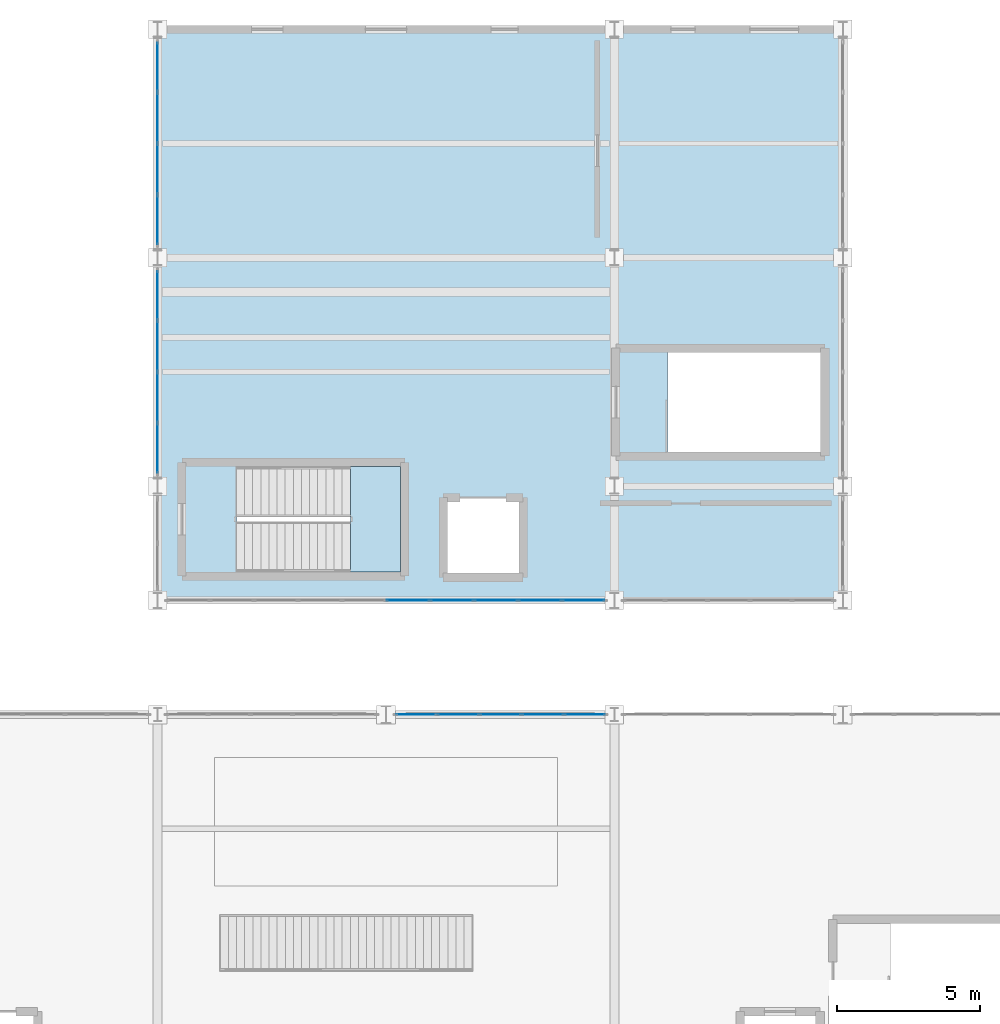
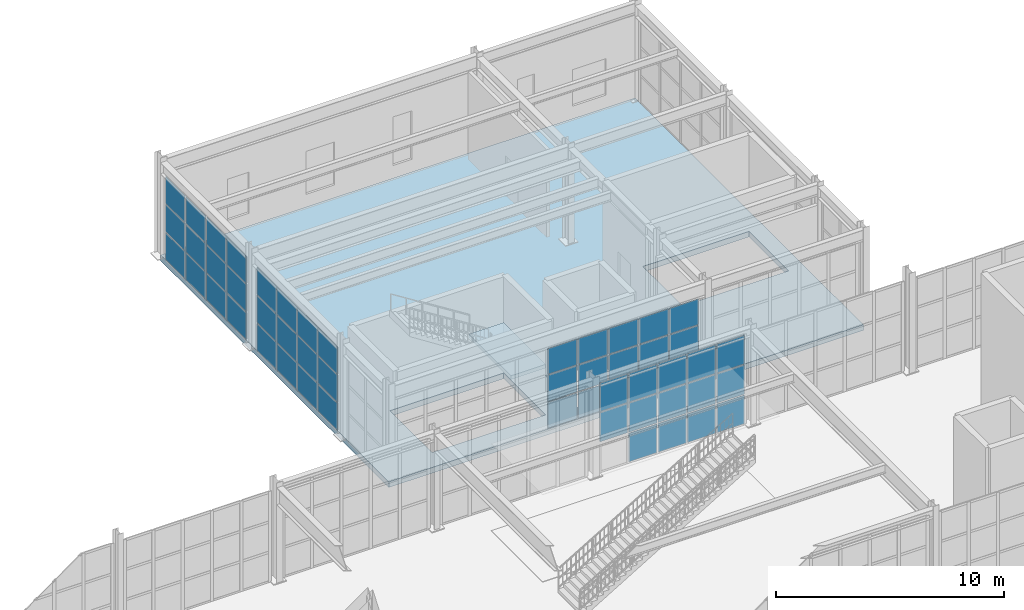
# One storey, part 56 of 82: 53 plates, 2 slabs, 5 elements without a shape of their own.
"""IFC4 building model written with IfcOpenShell, lengths in metres."""

from ifc_helpers import new_model, si_unit, direction, frame, origin, origin_2d, place, context, subcontext, project, spatial, polyline, rectangle, outline, extrude, material, layer, layer_set, type_object, element, aggregate, save


model = new_model("IFC4")

# Units and contexts
model_context = context("Model", 3, precision=1e-05, world=origin(), true_north=direction((0.0, 1.0)))
body_context = subcontext(model_context, "Body", "Model", "MODEL_VIEW")
ifc_project = project(units=[si_unit("LENGTHUNIT", "METRE"), si_unit("AREAUNIT", "SQUARE_METRE"), si_unit("VOLUMEUNIT", "CUBIC_METRE"), si_unit("PLANEANGLEUNIT", "RADIAN"), si_unit("MASSUNIT", "GRAM", prefix="KILO")], contexts=[model_context])

# Site, building, storey
site_placement = place(None, origin())
site = spatial("IfcSite", under=ifc_project, at=site_placement, CompositionType="ELEMENT")
building_placement = place(site_placement, origin())
building = spatial("IfcBuilding", under=site, at=building_placement, Name="Serraluz Foothill Cableway Terminal", CompositionType="ELEMENT")
storey_placement = place(building_placement, frame((0.0, 0.0, 9.60009765625)))
storey = spatial("IfcBuildingStorey", under=building, at=storey_placement, Name="L02", CompositionType="ELEMENT", Elevation=9.60009765625)

# Curtain wall, plates
ifc_material_1 = material(Name="Architectural bronze alloy C28000", Category="aluminium")
curtain_wall_type_1 = type_object("IfcCurtainWallType", Name="TYP-CW-440X360", PredefinedType="NOTDEFINED", material=ifc_material_1)
curtain_wall_1_placement = place(storey_placement, origin())
curtain_wall_1 = element("IfcCurtainWall", 1, at=curtain_wall_1_placement, inside=storey, type_object=curtain_wall_type_1, Name="Ribbed Glazed Curtain Wall CW-V1N-L02-88", PredefinedType="NOTDEFINED")
ifc_material_2 = material(Name="Translucent ribbed laminated channel glass", Category="glass")
ifc_layer_1 = layer(ifc_material_2, 0.028076171875, Name="Translucent ribbed laminated channel glass", Category="glass")
ifc_layer_set_1 = layer_set([ifc_layer_1], Name="Translucent ribbed laminated channel glass")
plate_type = type_object("IfcPlateType", Name="TYP-CW-PNL-28", PredefinedType="CURTAIN_PANEL", material=ifc_layer_set_1)
plate_1_placement = place(storey_placement, frame((89.05908203125, 72.0, 1.646484375), z_axis=(0.0, 0.0, 1.0), x_axis=(1.0, 0.0, 0.0)))
plate_1 = element("IfcPlate", 2, at=plate_1_placement, type_object=plate_type, Name="CW-16 panel 1.2", PredefinedType="CURTAIN_PANEL", context=body_context, shape_type="SweptSolid", body=[
    extrude(rectangle(XDim=1.393310546875, YDim=0.028076171875, at=origin_2d()), origin(), (0.0, 0.0, 1.0), 1.556640625),
])
plate_2_placement = place(storey_placement, frame((89.05908203125, 72.0, 3.26318359375), z_axis=(0.0, 0.0, 1.0), x_axis=(1.0, 0.0, 0.0)))
plate_2 = element("IfcPlate", 3, at=plate_2_placement, type_object=plate_type, Name="CW-16 panel 1.3", PredefinedType="CURTAIN_PANEL", context=body_context, shape_type="SweptSolid", body=[
    extrude(rectangle(XDim=1.393310546875, YDim=0.028076171875, at=origin_2d()), origin(), (0.0, 0.0, 1.0), 1.526611328125),
])
plate_3_placement = place(storey_placement, frame((90.52734375, 72.0, 0.06005859375), z_axis=(0.0, 0.0, 1.0), x_axis=(1.0, 0.0, 0.0)))
plate_3 = element("IfcPlate", 4, at=plate_3_placement, type_object=plate_type, Name="CW-16 panel 2.1", PredefinedType="CURTAIN_PANEL", context=body_context, shape_type="SweptSolid", body=[
    extrude(rectangle(XDim=1.423095703125, YDim=0.028076171875, at=origin_2d()), origin(), (0.0, 0.0, 1.0), 1.526611328125),
])
plate_4_placement = place(storey_placement, frame((90.52734375, 72.0, 1.646484375), z_axis=(0.0, 0.0, 1.0), x_axis=(1.0, 0.0, 0.0)))
plate_4 = element("IfcPlate", 5, at=plate_4_placement, type_object=plate_type, Name="CW-16 panel 2.2", PredefinedType="CURTAIN_PANEL", context=body_context, shape_type="SweptSolid", body=[
    extrude(rectangle(XDim=1.423095703125, YDim=0.028076171875, at=origin_2d()), origin(), (0.0, 0.0, 1.0), 1.556640625),
])
plate_5_placement = place(storey_placement, frame((90.52734375, 72.0, 3.26318359375), z_axis=(0.0, 0.0, 1.0), x_axis=(1.0, 0.0, 0.0)))
plate_5 = element("IfcPlate", 6, at=plate_5_placement, type_object=plate_type, Name="CW-16 panel 2.3", PredefinedType="CURTAIN_PANEL", context=body_context, shape_type="SweptSolid", body=[
    extrude(rectangle(XDim=1.423095703125, YDim=0.028076171875, at=origin_2d()), origin(), (0.0, 0.0, 1.0), 1.526611328125),
])
plate_6_placement = place(storey_placement, frame((92.010498046875, 72.0, 0.06005859375), z_axis=(0.0, 0.0, 1.0), x_axis=(1.0, 0.0, 0.0)))
plate_6 = element("IfcPlate", 7, at=plate_6_placement, type_object=plate_type, Name="CW-16 panel 3.1", PredefinedType="CURTAIN_PANEL", context=body_context, shape_type="SweptSolid", body=[
    extrude(rectangle(XDim=1.423095703125, YDim=0.028076171875, at=origin_2d()), origin(), (0.0, 0.0, 1.0), 1.526611328125),
])
plate_7_placement = place(storey_placement, frame((92.010498046875, 72.0, 1.646484375), z_axis=(0.0, 0.0, 1.0), x_axis=(1.0, 0.0, 0.0)))
plate_7 = element("IfcPlate", 8, at=plate_7_placement, type_object=plate_type, Name="CW-16 panel 3.2", PredefinedType="CURTAIN_PANEL", context=body_context, shape_type="SweptSolid", body=[
    extrude(rectangle(XDim=1.423095703125, YDim=0.028076171875, at=origin_2d()), origin(), (0.0, 0.0, 1.0), 1.556640625),
])
plate_8_placement = place(storey_placement, frame((92.010498046875, 72.0, 3.26318359375), z_axis=(0.0, 0.0, 1.0), x_axis=(1.0, 0.0, 0.0)))
plate_8 = element("IfcPlate", 9, at=plate_8_placement, type_object=plate_type, Name="CW-16 panel 3.3", PredefinedType="CURTAIN_PANEL", context=body_context, shape_type="SweptSolid", body=[
    extrude(rectangle(XDim=1.423095703125, YDim=0.028076171875, at=origin_2d()), origin(), (0.0, 0.0, 1.0), 1.526611328125),
])
plate_9_placement = place(storey_placement, frame((93.49365234375, 72.0, 0.06005859375), z_axis=(0.0, 0.0, 1.0), x_axis=(1.0, 0.0, 0.0)))
plate_9 = element("IfcPlate", 10, at=plate_9_placement, type_object=plate_type, Name="CW-16 panel 4.1", PredefinedType="CURTAIN_PANEL", context=body_context, shape_type="SweptSolid", body=[
    extrude(rectangle(XDim=1.423095703125, YDim=0.028076171875, at=origin_2d()), origin(), (0.0, 0.0, 1.0), 1.526611328125),
])
plate_10_placement = place(storey_placement, frame((93.49365234375, 72.0, 1.646484375), z_axis=(0.0, 0.0, 1.0), x_axis=(1.0, 0.0, 0.0)))
plate_10 = element("IfcPlate", 11, at=plate_10_placement, type_object=plate_type, Name="CW-16 panel 4.2", PredefinedType="CURTAIN_PANEL", context=body_context, shape_type="SweptSolid", body=[
    extrude(rectangle(XDim=1.423095703125, YDim=0.028076171875, at=origin_2d()), origin(), (0.0, 0.0, 1.0), 1.556640625),
])
plate_11_placement = place(storey_placement, frame((93.49365234375, 72.0, 3.26318359375), z_axis=(0.0, 0.0, 1.0), x_axis=(1.0, 0.0, 0.0)))
plate_11 = element("IfcPlate", 12, at=plate_11_placement, type_object=plate_type, Name="CW-16 panel 4.3", PredefinedType="CURTAIN_PANEL", context=body_context, shape_type="SweptSolid", body=[
    extrude(rectangle(XDim=1.423095703125, YDim=0.028076171875, at=origin_2d()), origin(), (0.0, 0.0, 1.0), 1.526611328125),
])
plate_12_placement = place(storey_placement, frame((94.9619140625, 72.0, 0.06005859375), z_axis=(0.0, 0.0, 1.0), x_axis=(1.0, 0.0, 0.0)))
plate_12 = element("IfcPlate", 13, at=plate_12_placement, type_object=plate_type, Name="CW-16 panel 5.1", PredefinedType="CURTAIN_PANEL", context=body_context, shape_type="SweptSolid", body=[
    extrude(rectangle(XDim=1.393310546875, YDim=0.028076171875, at=origin_2d()), origin(), (0.0, 0.0, 1.0), 1.526611328125),
])
plate_13_placement = place(storey_placement, frame((94.9619140625, 72.0, 1.646484375), z_axis=(0.0, 0.0, 1.0), x_axis=(1.0, 0.0, 0.0)))
plate_13 = element("IfcPlate", 14, at=plate_13_placement, type_object=plate_type, Name="CW-16 panel 5.2", PredefinedType="CURTAIN_PANEL", context=body_context, shape_type="SweptSolid", body=[
    extrude(rectangle(XDim=1.393310546875, YDim=0.028076171875, at=origin_2d()), origin(), (0.0, 0.0, 1.0), 1.556640625),
])
plate_14_placement = place(storey_placement, frame((94.9619140625, 72.0, 3.26318359375), z_axis=(0.0, 0.0, 1.0), x_axis=(1.0, 0.0, 0.0)))
plate_14 = element("IfcPlate", 15, at=plate_14_placement, type_object=plate_type, Name="CW-16 panel 5.3", PredefinedType="CURTAIN_PANEL", context=body_context, shape_type="SweptSolid", body=[
    extrude(rectangle(XDim=1.393310546875, YDim=0.028076171875, at=origin_2d()), origin(), (0.0, 0.0, 1.0), 1.526611328125),
])
aggregate(curtain_wall_1, [plate_1, plate_2, plate_3, plate_4, plate_5, plate_6, plate_7, plate_8, plate_9, plate_10, plate_11, plate_12, plate_13, plate_14])

curtain_wall_type_2 = type_object("IfcCurtainWallType", Name="TYP-CW-680X420", PredefinedType="NOTDEFINED", material=ifc_material_1)
curtain_wall_2_placement = place(storey_placement, origin())
curtain_wall_2 = element("IfcCurtainWall", 16, at=curtain_wall_2_placement, inside=storey, type_object=curtain_wall_type_2, Name="Ribbed Glazed Curtain Wall CW-V4S-L02-80", PredefinedType="NOTDEFINED")
plate_15_placement = place(storey_placement, frame((94.918701171875, 76.0, 0.059814453125), z_axis=(0.0, 0.0, 1.0), x_axis=(-1.0, 0.0, 0.0)))
plate_15 = element("IfcPlate", 17, at=plate_15_placement, type_object=plate_type, Name="CW-13 panel 1.1", PredefinedType="CURTAIN_PANEL", context=body_context, shape_type="SweptSolid", body=[
    extrude(rectangle(XDim=1.45068359375, YDim=0.028076171875, at=origin_2d()), origin(), (0.0, 0.0, 1.0), 1.3701171875),
])
plate_16_placement = place(storey_placement, frame((94.918701171875, 76.0, 1.489990234375), z_axis=(0.0, 0.0, 1.0), x_axis=(-1.0, 0.0, 0.0)))
plate_16 = element("IfcPlate", 18, at=plate_16_placement, type_object=plate_type, Name="CW-13 panel 1.2", PredefinedType="CURTAIN_PANEL", context=body_context, shape_type="SweptSolid", body=[
    extrude(rectangle(XDim=1.45068359375, YDim=0.028076171875, at=origin_2d()), origin(), (0.0, 0.0, 1.0), 1.39990234375),
])
plate_17_placement = place(storey_placement, frame((94.918701171875, 76.0, 2.949951171875), z_axis=(0.0, 0.0, 1.0), x_axis=(-1.0, 0.0, 0.0)))
plate_17 = element("IfcPlate", 19, at=plate_17_placement, type_object=plate_type, Name="CW-13 panel 1.3", PredefinedType="CURTAIN_PANEL", context=body_context, shape_type="SweptSolid", body=[
    extrude(rectangle(XDim=1.45068359375, YDim=0.028076171875, at=origin_2d()), origin(), (0.0, 0.0, 1.0), 1.3701171875),
])
plate_18_placement = place(storey_placement, frame((93.392822265625, 76.0, 0.059814453125), z_axis=(0.0, 0.0, 1.0), x_axis=(-1.0, 0.0, 0.0)))
plate_18 = element("IfcPlate", 20, at=plate_18_placement, type_object=plate_type, Name="CW-13 panel 2.1", PredefinedType="CURTAIN_PANEL", context=body_context, shape_type="SweptSolid", body=[
    extrude(rectangle(XDim=1.480712890625, YDim=0.028076171875, at=origin_2d()), origin(), (0.0, 0.0, 1.0), 1.3701171875),
])
plate_19_placement = place(storey_placement, frame((93.392822265625, 76.0, 1.489990234375), z_axis=(0.0, 0.0, 1.0), x_axis=(-1.0, 0.0, 0.0)))
plate_19 = element("IfcPlate", 21, at=plate_19_placement, type_object=plate_type, Name="CW-13 panel 2.2", PredefinedType="CURTAIN_PANEL", context=body_context, shape_type="SweptSolid", body=[
    extrude(rectangle(XDim=1.480712890625, YDim=0.028076171875, at=origin_2d()), origin(), (0.0, 0.0, 1.0), 1.39990234375),
])
plate_20_placement = place(storey_placement, frame((93.392822265625, 76.0, 2.949951171875), z_axis=(0.0, 0.0, 1.0), x_axis=(-1.0, 0.0, 0.0)))
plate_20 = element("IfcPlate", 22, at=plate_20_placement, type_object=plate_type, Name="CW-13 panel 2.3", PredefinedType="CURTAIN_PANEL", context=body_context, shape_type="SweptSolid", body=[
    extrude(rectangle(XDim=1.480712890625, YDim=0.028076171875, at=origin_2d()), origin(), (0.0, 0.0, 1.0), 1.3701171875),
])
plate_21_placement = place(storey_placement, frame((91.85205078125, 76.0, 0.059814453125), z_axis=(0.0, 0.0, 1.0), x_axis=(-1.0, 0.0, 0.0)))
plate_21 = element("IfcPlate", 23, at=plate_21_placement, type_object=plate_type, Name="CW-13 panel 3.1", PredefinedType="CURTAIN_PANEL", context=body_context, shape_type="SweptSolid", body=[
    extrude(rectangle(XDim=1.480712890625, YDim=0.028076171875, at=origin_2d()), origin(), (0.0, 0.0, 1.0), 1.3701171875),
])
plate_22_placement = place(storey_placement, frame((91.85205078125, 76.0, 1.489990234375), z_axis=(0.0, 0.0, 1.0), x_axis=(-1.0, 0.0, 0.0)))
plate_22 = element("IfcPlate", 24, at=plate_22_placement, type_object=plate_type, Name="CW-13 panel 3.2", PredefinedType="CURTAIN_PANEL", context=body_context, shape_type="SweptSolid", body=[
    extrude(rectangle(XDim=1.480712890625, YDim=0.028076171875, at=origin_2d()), origin(), (0.0, 0.0, 1.0), 1.39990234375),
])
plate_23_placement = place(storey_placement, frame((91.85205078125, 76.0, 2.949951171875), z_axis=(0.0, 0.0, 1.0), x_axis=(-1.0, 0.0, 0.0)))
plate_23 = element("IfcPlate", 25, at=plate_23_placement, type_object=plate_type, Name="CW-13 panel 3.3", PredefinedType="CURTAIN_PANEL", context=body_context, shape_type="SweptSolid", body=[
    extrude(rectangle(XDim=1.480712890625, YDim=0.028076171875, at=origin_2d()), origin(), (0.0, 0.0, 1.0), 1.3701171875),
])
plate_24_placement = place(storey_placement, frame((90.311279296875, 76.0, 0.059814453125), z_axis=(0.0, 0.0, 1.0), x_axis=(-1.0, 0.0, 0.0)))
plate_24 = element("IfcPlate", 26, at=plate_24_placement, type_object=plate_type, Name="CW-13 panel 4.1", PredefinedType="CURTAIN_PANEL", context=body_context, shape_type="SweptSolid", body=[
    extrude(rectangle(XDim=1.480712890625, YDim=0.028076171875, at=origin_2d()), origin(), (0.0, 0.0, 1.0), 1.3701171875),
])
plate_25_placement = place(storey_placement, frame((90.311279296875, 76.0, 1.489990234375), z_axis=(0.0, 0.0, 1.0), x_axis=(-1.0, 0.0, 0.0)))
plate_25 = element("IfcPlate", 27, at=plate_25_placement, type_object=plate_type, Name="CW-13 panel 4.2", PredefinedType="CURTAIN_PANEL", context=body_context, shape_type="SweptSolid", body=[
    extrude(rectangle(XDim=1.480712890625, YDim=0.028076171875, at=origin_2d()), origin(), (0.0, 0.0, 1.0), 1.39990234375),
])
plate_26_placement = place(storey_placement, frame((90.311279296875, 76.0, 2.949951171875), z_axis=(0.0, 0.0, 1.0), x_axis=(-1.0, 0.0, 0.0)))
plate_26 = element("IfcPlate", 28, at=plate_26_placement, type_object=plate_type, Name="CW-13 panel 4.3", PredefinedType="CURTAIN_PANEL", context=body_context, shape_type="SweptSolid", body=[
    extrude(rectangle(XDim=1.480712890625, YDim=0.028076171875, at=origin_2d()), origin(), (0.0, 0.0, 1.0), 1.3701171875),
])
plate_27_placement = place(storey_placement, frame((88.7705078125, 76.0, 0.059814453125), z_axis=(0.0, 0.0, 1.0), x_axis=(-1.0, 0.0, 0.0)))
plate_27 = element("IfcPlate", 29, at=plate_27_placement, type_object=plate_type, Name="CW-13 panel 5.1", PredefinedType="CURTAIN_PANEL", context=body_context, shape_type="SweptSolid", body=[
    extrude(rectangle(XDim=1.480712890625, YDim=0.028076171875, at=origin_2d()), origin(), (0.0, 0.0, 1.0), 1.3701171875),
])
plate_28_placement = place(storey_placement, frame((88.7705078125, 76.0, 1.489990234375), z_axis=(0.0, 0.0, 1.0), x_axis=(-1.0, 0.0, 0.0)))
plate_28 = element("IfcPlate", 30, at=plate_28_placement, type_object=plate_type, Name="CW-13 panel 5.2", PredefinedType="CURTAIN_PANEL", context=body_context, shape_type="SweptSolid", body=[
    extrude(rectangle(XDim=1.480712890625, YDim=0.028076171875, at=origin_2d()), origin(), (0.0, 0.0, 1.0), 1.39990234375),
])
plate_29_placement = place(storey_placement, frame((88.7705078125, 76.0, 2.949951171875), z_axis=(0.0, 0.0, 1.0), x_axis=(-1.0, 0.0, 0.0)))
plate_29 = element("IfcPlate", 31, at=plate_29_placement, type_object=plate_type, Name="CW-13 panel 5.3", PredefinedType="CURTAIN_PANEL", context=body_context, shape_type="SweptSolid", body=[
    extrude(rectangle(XDim=1.480712890625, YDim=0.028076171875, at=origin_2d()), origin(), (0.0, 0.0, 1.0), 1.3701171875),
])
aggregate(curtain_wall_2, [plate_15, plate_16, plate_17, plate_18, plate_19, plate_20, plate_21, plate_22, plate_23, plate_24, plate_25, plate_26, plate_27, plate_28, plate_29])

curtain_wall_3_placement = place(storey_placement, origin())
curtain_wall_3 = element("IfcCurtainWall", 32, at=curtain_wall_3_placement, inside=storey, type_object=curtain_wall_type_2, Name="Ribbed Glazed Curtain Wall CW-V4W-L02-80", PredefinedType="NOTDEFINED")
plate_30_placement = place(storey_placement, frame((80.0, 81.32373046875, 0.059814453125), z_axis=(0.0, 0.0, 1.0), x_axis=(0.0, 1.0, 0.0)))
plate_30 = element("IfcPlate", 33, at=plate_30_placement, type_object=plate_type, Name="CW-13 panel 1.1", PredefinedType="CURTAIN_PANEL", context=body_context, shape_type="SweptSolid", body=[
    extrude(rectangle(XDim=1.704345703125, YDim=0.028076171875, at=origin_2d()), origin(), (0.0, 0.0, 1.0), 1.42138671875),
])
plate_31_placement = place(storey_placement, frame((80.0, 81.32373046875, 1.541015625), z_axis=(0.0, 0.0, 1.0), x_axis=(0.0, 1.0, 0.0)))
plate_31 = element("IfcPlate", 34, at=plate_31_placement, type_object=plate_type, Name="CW-13 panel 1.2", PredefinedType="CURTAIN_PANEL", context=body_context, shape_type="SweptSolid", body=[
    extrude(rectangle(XDim=1.704345703125, YDim=0.028076171875, at=origin_2d()), origin(), (0.0, 0.0, 1.0), 1.451416015625),
])
plate_32_placement = place(storey_placement, frame((80.0, 81.32373046875, 3.052490234375), z_axis=(0.0, 0.0, 1.0), x_axis=(0.0, 1.0, 0.0)))
plate_32 = element("IfcPlate", 35, at=plate_32_placement, type_object=plate_type, Name="CW-13 panel 1.3", PredefinedType="CURTAIN_PANEL", context=body_context, shape_type="SweptSolid", body=[
    extrude(rectangle(XDim=1.704345703125, YDim=0.028076171875, at=origin_2d()), origin(), (0.0, 0.0, 1.0), 1.42138671875),
])
plate_33_placement = place(storey_placement, frame((80.0, 83.102783203125, 0.059814453125), z_axis=(0.0, 0.0, 1.0), x_axis=(0.0, 1.0, 0.0)))
plate_33 = element("IfcPlate", 36, at=plate_33_placement, type_object=plate_type, Name="CW-13 panel 2.1", PredefinedType="CURTAIN_PANEL", context=body_context, shape_type="SweptSolid", body=[
    extrude(rectangle(XDim=1.734130859375, YDim=0.028076171875, at=origin_2d()), origin(), (0.0, 0.0, 1.0), 1.42138671875),
])
plate_34_placement = place(storey_placement, frame((80.0, 83.102783203125, 1.541015625), z_axis=(0.0, 0.0, 1.0), x_axis=(0.0, 1.0, 0.0)))
plate_34 = element("IfcPlate", 37, at=plate_34_placement, type_object=plate_type, Name="CW-13 panel 2.2", PredefinedType="CURTAIN_PANEL", context=body_context, shape_type="SweptSolid", body=[
    extrude(rectangle(XDim=1.734130859375, YDim=0.028076171875, at=origin_2d()), origin(), (0.0, 0.0, 1.0), 1.451416015625),
])
plate_35_placement = place(storey_placement, frame((80.0, 83.102783203125, 3.052490234375), z_axis=(0.0, 0.0, 1.0), x_axis=(0.0, 1.0, 0.0)))
plate_35 = element("IfcPlate", 38, at=plate_35_placement, type_object=plate_type, Name="CW-13 panel 2.3", PredefinedType="CURTAIN_PANEL", context=body_context, shape_type="SweptSolid", body=[
    extrude(rectangle(XDim=1.734130859375, YDim=0.028076171875, at=origin_2d()), origin(), (0.0, 0.0, 1.0), 1.42138671875),
])
plate_36_placement = place(storey_placement, frame((80.0, 84.897216796875, 0.059814453125), z_axis=(0.0, 0.0, 1.0), x_axis=(0.0, 1.0, 0.0)))
plate_36 = element("IfcPlate", 39, at=plate_36_placement, type_object=plate_type, Name="CW-13 panel 3.1", PredefinedType="CURTAIN_PANEL", context=body_context, shape_type="SweptSolid", body=[
    extrude(rectangle(XDim=1.734130859375, YDim=0.028076171875, at=origin_2d()), origin(), (0.0, 0.0, 1.0), 1.42138671875),
])
plate_37_placement = place(storey_placement, frame((80.0, 84.897216796875, 1.541015625), z_axis=(0.0, 0.0, 1.0), x_axis=(0.0, 1.0, 0.0)))
plate_37 = element("IfcPlate", 40, at=plate_37_placement, type_object=plate_type, Name="CW-13 panel 3.2", PredefinedType="CURTAIN_PANEL", context=body_context, shape_type="SweptSolid", body=[
    extrude(rectangle(XDim=1.734130859375, YDim=0.028076171875, at=origin_2d()), origin(), (0.0, 0.0, 1.0), 1.451416015625),
])
plate_38_placement = place(storey_placement, frame((80.0, 84.897216796875, 3.052490234375), z_axis=(0.0, 0.0, 1.0), x_axis=(0.0, 1.0, 0.0)))
plate_38 = element("IfcPlate", 41, at=plate_38_placement, type_object=plate_type, Name="CW-13 panel 3.3", PredefinedType="CURTAIN_PANEL", context=body_context, shape_type="SweptSolid", body=[
    extrude(rectangle(XDim=1.734130859375, YDim=0.028076171875, at=origin_2d()), origin(), (0.0, 0.0, 1.0), 1.42138671875),
])
plate_39_placement = place(storey_placement, frame((80.0, 86.67626953125, 0.059814453125), z_axis=(0.0, 0.0, 1.0), x_axis=(0.0, 1.0, 0.0)))
plate_39 = element("IfcPlate", 42, at=plate_39_placement, type_object=plate_type, Name="CW-13 panel 4.1", PredefinedType="CURTAIN_PANEL", context=body_context, shape_type="SweptSolid", body=[
    extrude(rectangle(XDim=1.704345703125, YDim=0.028076171875, at=origin_2d()), origin(), (0.0, 0.0, 1.0), 1.42138671875),
])
plate_40_placement = place(storey_placement, frame((80.0, 86.67626953125, 1.541015625), z_axis=(0.0, 0.0, 1.0), x_axis=(0.0, 1.0, 0.0)))
plate_40 = element("IfcPlate", 43, at=plate_40_placement, type_object=plate_type, Name="CW-13 panel 4.2", PredefinedType="CURTAIN_PANEL", context=body_context, shape_type="SweptSolid", body=[
    extrude(rectangle(XDim=1.704345703125, YDim=0.028076171875, at=origin_2d()), origin(), (0.0, 0.0, 1.0), 1.451416015625),
])
plate_41_placement = place(storey_placement, frame((80.0, 86.67626953125, 3.052490234375), z_axis=(0.0, 0.0, 1.0), x_axis=(0.0, 1.0, 0.0)))
plate_41 = element("IfcPlate", 44, at=plate_41_placement, type_object=plate_type, Name="CW-13 panel 4.3", PredefinedType="CURTAIN_PANEL", context=body_context, shape_type="SweptSolid", body=[
    extrude(rectangle(XDim=1.704345703125, YDim=0.028076171875, at=origin_2d()), origin(), (0.0, 0.0, 1.0), 1.42138671875),
])
aggregate(curtain_wall_3, [plate_30, plate_31, plate_32, plate_33, plate_34, plate_35, plate_36, plate_37, plate_38, plate_39, plate_40, plate_41])

curtain_wall_4_placement = place(storey_placement, origin())
curtain_wall_4 = element("IfcCurtainWall", 45, at=curtain_wall_4_placement, inside=storey, type_object=curtain_wall_type_2, Name="Ribbed Glazed Curtain Wall CW-V4W-L02-88", PredefinedType="NOTDEFINED")
plate_42_placement = place(storey_placement, frame((80.0, 89.32373046875, 0.059814453125), z_axis=(0.0, 0.0, 1.0), x_axis=(0.0, 1.0, 0.0)))
plate_42 = element("IfcPlate", 46, at=plate_42_placement, type_object=plate_type, Name="CW-13 panel 1.1", PredefinedType="CURTAIN_PANEL", context=body_context, shape_type="SweptSolid", body=[
    extrude(rectangle(XDim=1.704345703125, YDim=0.028076171875, at=origin_2d()), origin(), (0.0, 0.0, 1.0), 1.4248046875),
])
plate_43_placement = place(storey_placement, frame((80.0, 89.32373046875, 1.544677734375), z_axis=(0.0, 0.0, 1.0), x_axis=(0.0, 1.0, 0.0)))
plate_43 = element("IfcPlate", 47, at=plate_43_placement, type_object=plate_type, Name="CW-13 panel 1.2", PredefinedType="CURTAIN_PANEL", context=body_context, shape_type="SweptSolid", body=[
    extrude(rectangle(XDim=1.704345703125, YDim=0.028076171875, at=origin_2d()), origin(), (0.0, 0.0, 1.0), 1.45458984375),
])
plate_44_placement = place(storey_placement, frame((80.0, 89.32373046875, 3.05908203125), z_axis=(0.0, 0.0, 1.0), x_axis=(0.0, 1.0, 0.0)))
plate_44 = element("IfcPlate", 48, at=plate_44_placement, type_object=plate_type, Name="CW-13 panel 1.3", PredefinedType="CURTAIN_PANEL", context=body_context, shape_type="SweptSolid", body=[
    extrude(rectangle(XDim=1.704345703125, YDim=0.028076171875, at=origin_2d()), origin(), (0.0, 0.0, 1.0), 1.4248046875),
])
plate_45_placement = place(storey_placement, frame((80.0, 91.102783203125, 0.059814453125), z_axis=(0.0, 0.0, 1.0), x_axis=(0.0, 1.0, 0.0)))
plate_45 = element("IfcPlate", 49, at=plate_45_placement, type_object=plate_type, Name="CW-13 panel 2.1", PredefinedType="CURTAIN_PANEL", context=body_context, shape_type="SweptSolid", body=[
    extrude(rectangle(XDim=1.734130859375, YDim=0.028076171875, at=origin_2d()), origin(), (0.0, 0.0, 1.0), 1.4248046875),
])
plate_46_placement = place(storey_placement, frame((80.0, 91.102783203125, 1.544677734375), z_axis=(0.0, 0.0, 1.0), x_axis=(0.0, 1.0, 0.0)))
plate_46 = element("IfcPlate", 50, at=plate_46_placement, type_object=plate_type, Name="CW-13 panel 2.2", PredefinedType="CURTAIN_PANEL", context=body_context, shape_type="SweptSolid", body=[
    extrude(rectangle(XDim=1.734130859375, YDim=0.028076171875, at=origin_2d()), origin(), (0.0, 0.0, 1.0), 1.45458984375),
])
plate_47_placement = place(storey_placement, frame((80.0, 91.102783203125, 3.05908203125), z_axis=(0.0, 0.0, 1.0), x_axis=(0.0, 1.0, 0.0)))
plate_47 = element("IfcPlate", 51, at=plate_47_placement, type_object=plate_type, Name="CW-13 panel 2.3", PredefinedType="CURTAIN_PANEL", context=body_context, shape_type="SweptSolid", body=[
    extrude(rectangle(XDim=1.734130859375, YDim=0.028076171875, at=origin_2d()), origin(), (0.0, 0.0, 1.0), 1.4248046875),
])
plate_48_placement = place(storey_placement, frame((80.0, 92.897216796875, 0.059814453125), z_axis=(0.0, 0.0, 1.0), x_axis=(0.0, 1.0, 0.0)))
plate_48 = element("IfcPlate", 52, at=plate_48_placement, type_object=plate_type, Name="CW-13 panel 3.1", PredefinedType="CURTAIN_PANEL", context=body_context, shape_type="SweptSolid", body=[
    extrude(rectangle(XDim=1.734130859375, YDim=0.028076171875, at=origin_2d()), origin(), (0.0, 0.0, 1.0), 1.4248046875),
])
plate_49_placement = place(storey_placement, frame((80.0, 92.897216796875, 1.544677734375), z_axis=(0.0, 0.0, 1.0), x_axis=(0.0, 1.0, 0.0)))
plate_49 = element("IfcPlate", 53, at=plate_49_placement, type_object=plate_type, Name="CW-13 panel 3.2", PredefinedType="CURTAIN_PANEL", context=body_context, shape_type="SweptSolid", body=[
    extrude(rectangle(XDim=1.734130859375, YDim=0.028076171875, at=origin_2d()), origin(), (0.0, 0.0, 1.0), 1.45458984375),
])
plate_50_placement = place(storey_placement, frame((80.0, 92.897216796875, 3.05908203125), z_axis=(0.0, 0.0, 1.0), x_axis=(0.0, 1.0, 0.0)))
plate_50 = element("IfcPlate", 54, at=plate_50_placement, type_object=plate_type, Name="CW-13 panel 3.3", PredefinedType="CURTAIN_PANEL", context=body_context, shape_type="SweptSolid", body=[
    extrude(rectangle(XDim=1.734130859375, YDim=0.028076171875, at=origin_2d()), origin(), (0.0, 0.0, 1.0), 1.4248046875),
])
plate_51_placement = place(storey_placement, frame((80.0, 94.67626953125, 0.059814453125), z_axis=(0.0, 0.0, 1.0), x_axis=(0.0, 1.0, 0.0)))
plate_51 = element("IfcPlate", 55, at=plate_51_placement, type_object=plate_type, Name="CW-13 panel 4.1", PredefinedType="CURTAIN_PANEL", context=body_context, shape_type="SweptSolid", body=[
    extrude(rectangle(XDim=1.704345703125, YDim=0.028076171875, at=origin_2d()), origin(), (0.0, 0.0, 1.0), 1.4248046875),
])
plate_52_placement = place(storey_placement, frame((80.0, 94.67626953125, 1.544677734375), z_axis=(0.0, 0.0, 1.0), x_axis=(0.0, 1.0, 0.0)))
plate_52 = element("IfcPlate", 56, at=plate_52_placement, type_object=plate_type, Name="CW-13 panel 4.2", PredefinedType="CURTAIN_PANEL", context=body_context, shape_type="SweptSolid", body=[
    extrude(rectangle(XDim=1.704345703125, YDim=0.028076171875, at=origin_2d()), origin(), (0.0, 0.0, 1.0), 1.45458984375),
])
plate_53_placement = place(storey_placement, frame((80.0, 94.67626953125, 3.05908203125), z_axis=(0.0, 0.0, 1.0), x_axis=(0.0, 1.0, 0.0)))
plate_53 = element("IfcPlate", 57, at=plate_53_placement, type_object=plate_type, Name="CW-13 panel 4.3", PredefinedType="CURTAIN_PANEL", context=body_context, shape_type="SweptSolid", body=[
    extrude(rectangle(XDim=1.704345703125, YDim=0.028076171875, at=origin_2d()), origin(), (0.0, 0.0, 1.0), 1.4248046875),
])
aggregate(curtain_wall_4, [plate_42, plate_43, plate_44, plate_45, plate_46, plate_47, plate_48, plate_49, plate_50, plate_51, plate_52, plate_53])

# Slab
ifc_material_3 = material(Name="Concrete C35/45 (f'c 35 MPa)", Category="concrete")
ifc_layer_2 = layer(ifc_material_3, 0.300048828125, Name="Concrete C35/45 (f'c 35 MPa)", Category="concrete")
ifc_layer_set_2 = layer_set([ifc_layer_2], Name="Concrete C35/45 (f'c 35 MPa)")
slab_type_1 = type_object("IfcSlabType", Name="TYP-SLB-FLR-300", PredefinedType="FLOOR", material=ifc_layer_set_2)
slab_1_placement = place(storey_placement, frame((0.0, 0.0, -0.300048828125)))
element("IfcSlab", 58, at=slab_1_placement, inside=storey, type_object=slab_type_1, Name="Structural Slab SLB-L02-V4", PredefinedType="FLOOR", context=body_context, shape_type="SweptSolid", body=[
    extrude(outline(polyline([(80.0, 76.0), (104.0, 76.0), (104.0, 96.0), (80.0, 96.0), (80.0, 76.0)]), holes=[polyline([(82.760009765625, 77.0), (88.510009765625, 77.0), (88.510009765625, 80.679931640625), (82.760009765625, 80.679931640625), (82.760009765625, 77.0)]), polyline([(97.860107421875, 81.199951171875), (103.22509765625, 81.199951171875), (103.22509765625, 84.679931640625), (97.860107421875, 84.679931640625), (97.860107421875, 81.199951171875)]), polyline([(90.0, 76.800048828125), (92.800048828125, 76.800048828125), (92.800048828125, 79.60009765625), (90.0, 79.60009765625), (90.0, 76.800048828125)])]), origin(), (0.0, 0.0, 1.0), 0.300048828125),
])

# Stair, slab
stair_type = type_object("IfcStairType", Name="TYP-ST-DOG-176-54", PredefinedType="HALF_TURN_STAIR", material=ifc_material_3)
stair_placement = place(storey_placement, origin())
stair = element("IfcStair", 59, at=stair_placement, inside=storey, type_object=stair_type, Name="L02 ST-08", PredefinedType="HALF_TURN_STAIR")
ifc_material_4 = material(Name="Concrete C28/35 (f'c 28 MPa)", Category="concrete")
ifc_layer_3 = layer(ifc_material_4, 0.199951171875, Name="Concrete C28/35 (f'c 28 MPa)", Category="concrete")
ifc_layer_set_3 = layer_set([ifc_layer_3], Name="Concrete C28/35 (f'c 28 MPa)")
slab_type_2 = type_object("IfcSlabType", Name="TYP-SLB-LND-200", PredefinedType="LANDING", material=ifc_layer_set_3)
slab_2_placement = place(storey_placement, frame((0.0, 0.0, 2.5)))
slab_2 = element("IfcSlab", 60, at=slab_2_placement, type_object=slab_type_2, Name="ST-08 landing 1", PredefinedType="LANDING", context=body_context, shape_type="SweptSolid", body=[
    extrude(outline(polyline([(86.75, 77.0), (88.510009765625, 77.0), (88.510009765625, 80.679931640625), (86.75, 80.679931640625), (86.75, 77.0)])), origin(), (0.0, 0.0, 1.0), 0.199951171875),
])
aggregate(stair, [slab_2])

save(model, "model.ifc")
